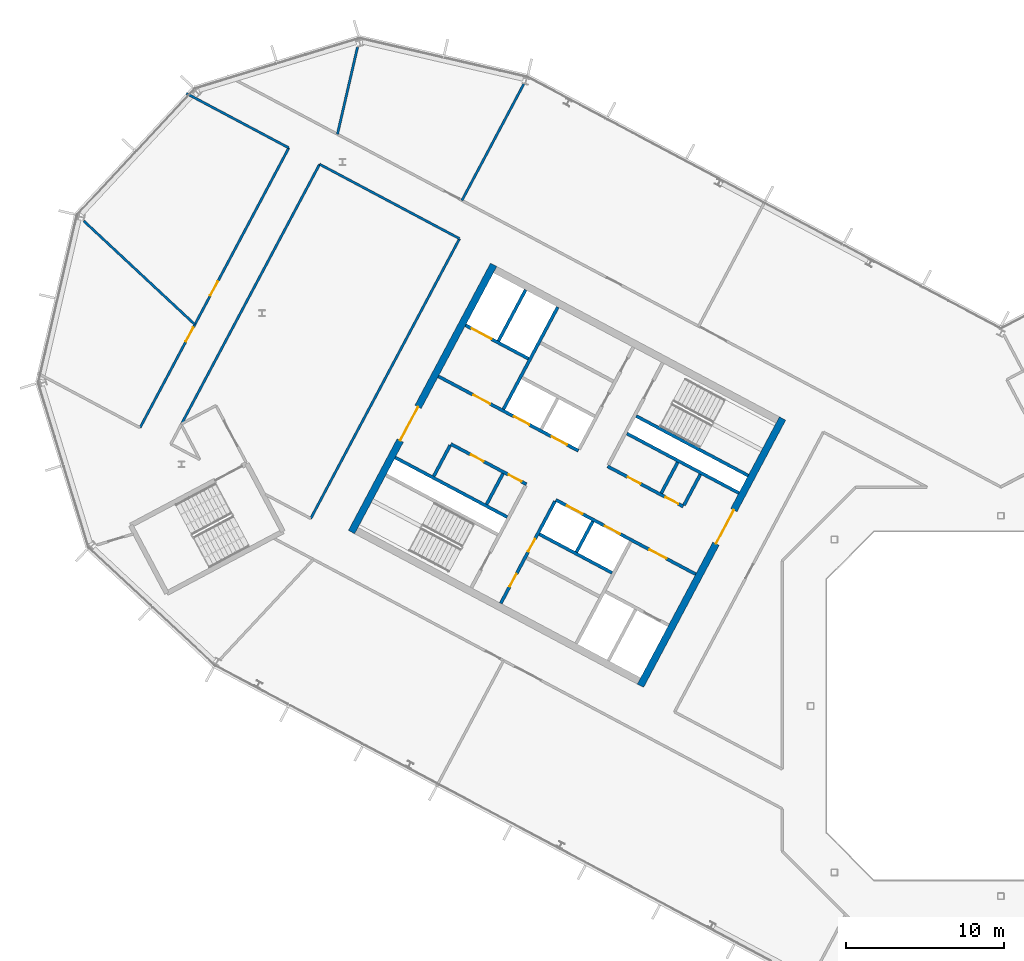
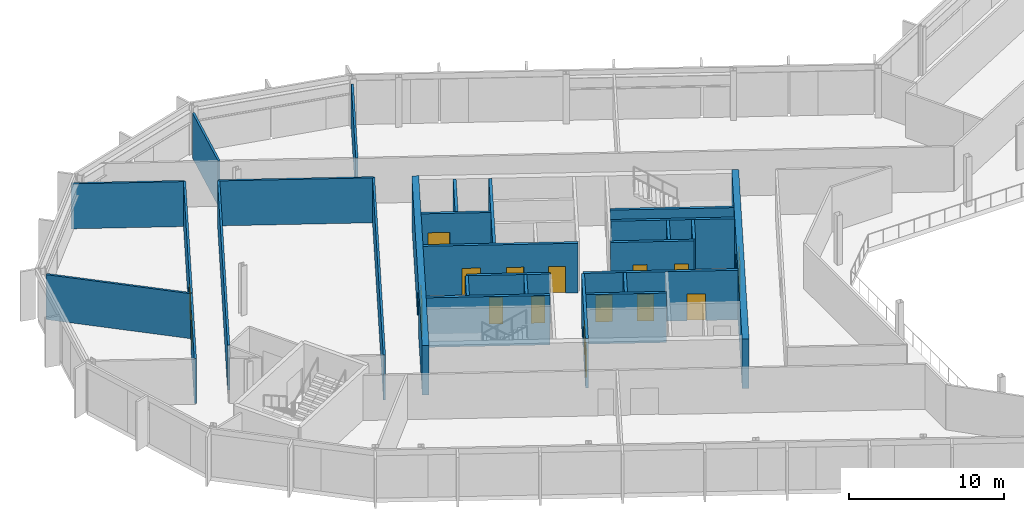
# One storey, part 13 of 25: 27 walls, 17 doors, 17 openings.
"""IFC4 building model written with IfcOpenShell, lengths in metres."""

from ifc_helpers import new_model, si_unit, direction, frame, frame_2d, origin, place, context, subcontext, project, spatial, rectangle, extrude, material, layer, layer_set, type_object, element, fill, save


model = new_model("IFC4")

# Units and contexts
model_context = context("Model", 3, precision=1e-05, world=origin(), true_north=direction((0.0, 1.0)))
body_context = subcontext(model_context, "Body", "Model", "MODEL_VIEW")
ifc_project = project(units=[si_unit("LENGTHUNIT", "METRE"), si_unit("AREAUNIT", "SQUARE_METRE"), si_unit("VOLUMEUNIT", "CUBIC_METRE"), si_unit("PLANEANGLEUNIT", "RADIAN"), si_unit("MASSUNIT", "GRAM", prefix="KILO")], contexts=[model_context])

# Site, building, storey
site_placement = place(None, origin())
site = spatial("IfcSite", under=ifc_project, at=site_placement, CompositionType="ELEMENT")
building_placement = place(site_placement, origin())
building = spatial("IfcBuilding", under=site, at=building_placement, Name="Cormorant Relay Tower", CompositionType="ELEMENT")
storey_placement = place(building_placement, frame((0.0, 0.0, 281.39990234375)))
storey = spatial("IfcBuildingStorey", under=building, at=storey_placement, Name="L63", CompositionType="ELEMENT", Elevation=281.39990234375)

# Walls
ifc_material_1 = material(Name="Concrete 40 MPa", Category="concrete")
ifc_layer_1 = layer(ifc_material_1, 0.199951171875)
ifc_layer_set_1 = layer_set([ifc_layer_1], Name="Core internal wall 200")
wall_type_1 = type_object("IfcWallType", Name="Core internal wall 200", PredefinedType="SOLIDWALL", material=ifc_layer_set_1)
wall_1_placement = place(storey_placement, frame((-20.39013671875, 15.371826171875, 0.0), z_axis=(0.0, 0.0, 1.0), x_axis=(-0.4694473164, -0.882960484464, 0.0)))
element("IfcWall", 1, at=wall_1_placement, inside=storey, type_object=wall_type_1, Name="L63 core A shaft and room wall", PredefinedType="SOLIDWALL", context=body_context, shape_type="SweptSolid", body=[
    extrude(rectangle(XDim=2.199951171875, YDim=0.199951171875, at=frame_2d((1.10009765625, 0.0))), origin(), (0.0, 0.0, 1.0), 3.900146484375),
])
wall_2_placement = place(storey_placement, frame((-25.744140625, 11.64990234375, 0.0), z_axis=(0.0, 0.0, 1.0), x_axis=(-0.469487830541, -0.882938942948, 0.0)))
element("IfcWall", 2, at=wall_2_placement, inside=storey, type_object=wall_type_1, Name="L63 core A shaft and room wall", PredefinedType="SOLIDWALL", context=body_context, shape_type="SweptSolid", body=[
    extrude(rectangle(XDim=2.2001953125, YDim=0.199951171875, at=frame_2d((1.10009765625, 0.0))), origin(), (0.0, 0.0, 1.0), 3.900146484375),
])
wall_3_placement = place(storey_placement, frame((-31.41259765625, 14.663818359375, 0.0), z_axis=(0.0, 0.0, 1.0), x_axis=(-0.469533832133, -0.882914480843, 0.0)))
element("IfcWall", 3, at=wall_3_placement, inside=storey, type_object=wall_type_1, Name="L63 core A shaft and room wall", PredefinedType="SOLIDWALL", context=body_context, shape_type="SweptSolid", body=[
    extrude(rectangle(XDim=2.199951171875, YDim=0.199951171875, at=frame_2d((1.10009765625, 0.0))), origin(), (0.0, 0.0, 1.0), 3.900146484375),
])
ifc_material_2 = material(Name="Concrete 50 MPa", Category="concrete")
ifc_layer_2 = layer(ifc_material_2, 0.199951171875)
ifc_layer_set_2 = layer_set([ifc_layer_2], Name="Core shaft wall 200")
wall_type_2 = type_object("IfcWallType", Name="Core shaft wall 200", PredefinedType="SHEAR", material=ifc_layer_set_2)
wall_4_placement = place(storey_placement, frame((-18.959716796875, 14.611328125, 0.0), z_axis=(0.0, 0.0, 1.0), x_axis=(-0.4694473164, -0.882960484464, 0.0)))
element("IfcWall", 4, at=wall_4_placement, inside=storey, type_object=wall_type_2, Name="L63 core A shaft wall", PredefinedType="SHEAR", context=body_context, shape_type="SweptSolid", body=[
    extrude(rectangle(XDim=2.199951171875, YDim=0.199951171875, at=frame_2d((1.10009765625, 0.0))), origin(), (0.0, 0.0, 1.0), 3.900146484375),
])

# Wall, openings, doors
wall_5_placement = place(storey_placement, frame((-28.128173828125, 12.91748046875, 0.0), z_axis=(0.0, 0.0, 1.0), x_axis=(-0.469454336211, -0.882956752176, 0.0)))
wall_5 = element("IfcWall", 5, at=wall_5_placement, inside=storey, type_object=wall_type_2, Name="L63 core A shaft wall", PredefinedType="SHEAR", context=body_context, shape_type="SweptSolid", body=[
    extrude(rectangle(XDim=7.300048828125, YDim=0.199951171875, at=frame_2d((3.64990234375, 0.0))), origin(), (0.0, 0.0, 1.0), 3.900146484375),
])
opening_1_placement = place(wall_5_placement, frame((2.699951171875, 0.0, 0.0)))
opening_1 = element("IfcOpeningElement", 6, at=opening_1_placement, cuts=wall_5, Name="Opening CDD-324", PredefinedType="OPENING", context=body_context, shape_type="SweptSolid", body=[
    extrude(rectangle(XDim=0.89990234375, YDim=2.10009765625, at=frame_2d((0.449951171875, 1.050048828125))), frame((0.0, 0.10986328125, 0.0), z_axis=(0.0, -1.0, 0.0), x_axis=(1.0, 0.0, 0.0)), (0.0, 0.0, 1.0), 0.219970703125),
])
opening_2_placement = place(wall_5_placement, frame((5.199951171875, 0.0, 0.0)))
opening_2 = element("IfcOpeningElement", 7, at=opening_2_placement, cuts=wall_5, Name="Opening CDD-325", PredefinedType="OPENING", context=body_context, shape_type="SweptSolid", body=[
    extrude(rectangle(XDim=0.89990234375, YDim=2.10009765625, at=frame_2d((0.449951171875, 1.050048828125))), frame((0.0, 0.10986328125, 0.0), z_axis=(0.0, -1.0, 0.0), x_axis=(1.0, 0.0, 0.0)), (0.0, 0.0, 1.0), 0.219970703125),
])
ifc_material_3 = material(Name="Steel fire door", Category="steel")
door_type_1 = type_object("IfcDoorType", Name="Core room door 900x2100", OperationType="SINGLE_SWING_LEFT", PredefinedType="DOOR", material=ifc_material_3)
door_1_placement = place(opening_1_placement, origin())
door_1 = element("IfcDoor", 8, at=door_1_placement, inside=storey, type_object=door_type_1, Name="Core room door 900x2100", OperationType="SINGLE_SWING_LEFT", OverallHeight=2.10009765625, OverallWidth=0.89990234375, PredefinedType="DOOR", context=body_context, shape_type="SweptSolid", body=[
    extrude(rectangle(XDim=0.89990234375, YDim=2.10009765625, at=frame_2d((0.449951171875, 1.050048828125))), frame((0.0, 0.02490234375, 0.0), z_axis=(0.0, -1.0, 0.0), x_axis=(1.0, 0.0, 0.0)), (0.0, 0.0, 1.0), 0.050048828125),
])
fill(opening_1, door_1)
door_2_placement = place(opening_2_placement, origin())
door_2 = element("IfcDoor", 9, at=door_2_placement, inside=storey, type_object=door_type_1, Name="Core room door 900x2100", OperationType="SINGLE_SWING_LEFT", OverallHeight=2.10009765625, OverallWidth=0.89990234375, PredefinedType="DOOR", context=body_context, shape_type="SweptSolid", body=[
    extrude(rectangle(XDim=0.89990234375, YDim=2.10009765625, at=frame_2d((0.449951171875, 1.050048828125))), frame((0.0, 0.02490234375, 0.0), z_axis=(0.0, -1.0, 0.0), x_axis=(1.0, 0.0, 0.0)), (0.0, 0.0, 1.0), 0.050048828125),
])
fill(opening_2, door_2)

# Walls
wall_6_placement = place(storey_placement, frame((-27.955322265625, 25.170654296875, 0.0), z_axis=(0.0, 0.0, 1.0), x_axis=(-0.469480409012, -0.88294288918, 0.0)))
element("IfcWall", 10, at=wall_6_placement, inside=storey, type_object=wall_type_2, Name="L63 core A shaft wall", PredefinedType="SHEAR", context=body_context, shape_type="SweptSolid", body=[
    extrude(rectangle(XDim=7.300048828125, YDim=0.199951171875, at=frame_2d((3.64990234375, 0.0))), origin(), (0.0, 0.0, 1.0), 3.900146484375),
])
wall_7_placement = place(storey_placement, frame((-34.750244140625, 16.4384765625, 0.0), z_axis=(0.0, 0.0, 1.0), x_axis=(-0.469401318492, -0.882984938828, 0.0)))
element("IfcWall", 11, at=wall_7_placement, inside=storey, type_object=wall_type_2, Name="L63 core A shaft wall", PredefinedType="SHEAR", context=body_context, shape_type="SweptSolid", body=[
    extrude(rectangle(XDim=2.199951171875, YDim=0.199951171875, at=frame_2d((1.10009765625, 0.0))), origin(), (0.0, 0.0, 1.0), 3.900146484375),
])
wall_8_placement = place(storey_placement, frame((-29.986083984375, 26.250244140625, 0.0), z_axis=(0.0, 0.0, 1.0), x_axis=(-0.469494272526, -0.882935517501, 0.0)))
element("IfcWall", 12, at=wall_8_placement, inside=storey, type_object=wall_type_2, Name="L63 core A shaft wall", PredefinedType="SHEAR", context=body_context, shape_type="SweptSolid", body=[
    extrude(rectangle(XDim=3.64990234375, YDim=0.199951171875, at=frame_2d((1.824951171875, 0.0))), origin(), (0.0, 0.0, 1.0), 3.900146484375),
])
wall_9_placement = place(storey_placement, frame((-15.94189453125, 14.53564453125, 0.0), z_axis=(0.0, 0.0, 1.0), x_axis=(-0.882946947542, 0.469472776449, 0.0)))
element("IfcWall", 13, at=wall_9_placement, inside=storey, type_object=wall_type_2, Name="L63 core A shaft wall", PredefinedType="SHEAR", context=body_context, shape_type="SweptSolid", body=[
    extrude(rectangle(XDim=8.000244140625, YDim=0.199951171875, at=frame_2d((4.0, 0.0))), origin(), (0.0, 0.0, 1.0), 3.900146484375),
])

# Wall, opening, door
wall_10_placement = place(storey_placement, frame((-29.80419921875, 21.906494140625, 0.0), z_axis=(0.0, 0.0, 1.0), x_axis=(-0.882960433586, 0.469447412093, 0.0)))
wall_10 = element("IfcWall", 14, at=wall_10_placement, inside=storey, type_object=wall_type_2, Name="L63 core A shaft wall", PredefinedType="SHEAR", context=body_context, shape_type="SweptSolid", body=[
    extrude(rectangle(XDim=4.5, YDim=0.199951171875, at=frame_2d((2.25, 0.0))), origin(), (0.0, 0.0, 1.0), 3.900146484375),
])
opening_3_placement = place(wall_10_placement, frame((2.64990234375, 0.0, 0.0)))
opening_3 = element("IfcOpeningElement", 15, at=opening_3_placement, cuts=wall_10, Name="Opening LD3-015", PredefinedType="OPENING", context=body_context, shape_type="SweptSolid", body=[
    extrude(rectangle(XDim=1.39990234375, YDim=2.39990234375, at=frame_2d((0.699951171875, 1.199951171875))), frame((0.0, 0.10986328125, 0.0), z_axis=(0.0, -1.0, 0.0), x_axis=(1.0, 0.0, 0.0)), (0.0, 0.0, 1.0), 0.219970703125),
])
ifc_material_4 = material(Name="Stainless steel 316", Category="steel")
door_type_2 = type_object("IfcDoorType", Name="Lift landing door 1400x2400", OperationType="DOUBLE_DOOR_SLIDING", PredefinedType="DOOR", material=ifc_material_4)
door_3_placement = place(opening_3_placement, origin())
door_3 = element("IfcDoor", 16, at=door_3_placement, inside=storey, type_object=door_type_2, Name="SV1 landing door", OperationType="DOUBLE_DOOR_SLIDING", OverallHeight=2.39990234375, OverallWidth=1.39990234375, PredefinedType="DOOR", context=body_context, shape_type="SweptSolid", body=[
    extrude(rectangle(XDim=1.39990234375, YDim=2.39990234375, at=frame_2d((0.699951171875, 1.199951171875))), frame((0.0, 0.02490234375, 0.0), z_axis=(0.0, -1.0, 0.0), x_axis=(1.0, 0.0, 0.0)), (0.0, 0.0, 1.0), 0.050048828125),
])
fill(opening_3, door_3)

# Wall
wall_11_placement = place(storey_placement, frame((-16.52880859375, 13.43212890625, 0.0), z_axis=(0.0, 0.0, 1.0), x_axis=(-0.88295287151, 0.469461634952, 0.0)))
element("IfcWall", 17, at=wall_11_placement, inside=storey, type_object=wall_type_2, Name="L63 core A shaft wall", PredefinedType="SHEAR", context=body_context, shape_type="SweptSolid", body=[
    extrude(rectangle(XDim=7.999755859375, YDim=0.199951171875, at=frame_2d((4.0, 0.0))), origin(), (0.0, 0.0, 1.0), 3.900146484375),
])

# Wall, openings, doors
wall_12_placement = place(storey_placement, frame((-20.03955078125, 12.58056640625, 0.0), z_axis=(0.0, 0.0, 1.0), x_axis=(-0.882942972946, 0.469480251476, 0.0)))
wall_12 = element("IfcWall", 18, at=wall_12_placement, inside=storey, type_object=wall_type_2, Name="L63 core A shaft wall", PredefinedType="SHEAR", context=body_context, shape_type="SweptSolid", body=[
    extrude(rectangle(XDim=5.39990234375, YDim=0.199951171875, at=frame_2d((2.699951171875, 0.0))), origin(), (0.0, 0.0, 1.0), 3.900146484375),
])
opening_4_placement = place(wall_12_placement, frame((0.360107421875, 0.0, 0.0)))
opening_4 = element("IfcOpeningElement", 19, at=opening_4_placement, cuts=wall_12, Name="Opening CDD-322", PredefinedType="OPENING", context=body_context, shape_type="SweptSolid", body=[
    extrude(rectangle(XDim=0.89990234375, YDim=2.10009765625, at=frame_2d((0.449951171875, 1.050048828125))), frame((0.0, 0.10986328125, 0.0), z_axis=(0.0, -1.0, 0.0), x_axis=(1.0, 0.0, 0.0)), (0.0, 0.0, 1.0), 0.219970703125),
])
opening_5_placement = place(wall_12_placement, frame((3.06005859375, 0.0, 0.0)))
opening_5 = element("IfcOpeningElement", 20, at=opening_5_placement, cuts=wall_12, Name="Opening CDD-323", PredefinedType="OPENING", context=body_context, shape_type="SweptSolid", body=[
    extrude(rectangle(XDim=0.89990234375, YDim=2.10009765625, at=frame_2d((0.449951171875, 1.050048828125))), frame((0.0, 0.10986328125, 0.0), z_axis=(0.0, -1.0, 0.0), x_axis=(1.0, 0.0, 0.0)), (0.0, 0.0, 1.0), 0.219970703125),
])
door_4_placement = place(opening_4_placement, origin())
door_4 = element("IfcDoor", 21, at=door_4_placement, inside=storey, type_object=door_type_1, Name="Core room door 900x2100", OperationType="SINGLE_SWING_LEFT", OverallHeight=2.10009765625, OverallWidth=0.89990234375, PredefinedType="DOOR", context=body_context, shape_type="SweptSolid", body=[
    extrude(rectangle(XDim=0.89990234375, YDim=2.10009765625, at=frame_2d((0.449951171875, 1.050048828125))), frame((0.0, 0.02490234375, 0.0), z_axis=(0.0, -1.0, 0.0), x_axis=(1.0, 0.0, 0.0)), (0.0, 0.0, 1.0), 0.050048828125),
])
fill(opening_4, door_4)
door_5_placement = place(opening_5_placement, origin())
door_5 = element("IfcDoor", 22, at=door_5_placement, inside=storey, type_object=door_type_1, Name="Core room door 900x2100", OperationType="SINGLE_SWING_LEFT", OverallHeight=2.10009765625, OverallWidth=0.89990234375, PredefinedType="DOOR", context=body_context, shape_type="SweptSolid", body=[
    extrude(rectangle(XDim=0.89990234375, YDim=2.10009765625, at=frame_2d((0.449951171875, 1.050048828125))), frame((0.0, 0.02490234375, 0.0), z_axis=(0.0, -1.0, 0.0), x_axis=(1.0, 0.0, 0.0)), (0.0, 0.0, 1.0), 0.050048828125),
])
fill(opening_5, door_5)

wall_13_placement = place(storey_placement, frame((-26.66162109375, 16.1015625, 0.0), z_axis=(0.0, 0.0, 1.0), x_axis=(-0.882940221191, 0.469485426614, 0.0)))
wall_13 = element("IfcWall", 23, at=wall_13_placement, inside=storey, type_object=wall_type_2, Name="L63 core A shaft wall", PredefinedType="SHEAR", context=body_context, shape_type="SweptSolid", body=[
    extrude(rectangle(XDim=10.0, YDim=0.199951171875, at=frame_2d((5.0, 0.0))), origin(), (0.0, 0.0, 1.0), 3.900146484375),
])
opening_6_placement = place(wall_13_placement, frame((6.300048828125, 0.0, 0.0)))
opening_6 = element("IfcOpeningElement", 24, at=opening_6_placement, cuts=wall_13, Name="Opening CDC-034", PredefinedType="OPENING", context=body_context, shape_type="SweptSolid", body=[
    extrude(rectangle(XDim=1.199951171875, YDim=2.10009765625, at=frame_2d((0.60009765625, 1.050048828125))), frame((0.0, 0.10986328125, 0.0), z_axis=(0.0, -1.0, 0.0), x_axis=(1.0, 0.0, 0.0)), (0.0, 0.0, 1.0), 0.219970703125),
])
opening_7_placement = place(wall_13_placement, frame((0.800048828125, 0.0, 0.0)))
opening_7 = element("IfcOpeningElement", 25, at=opening_7_placement, cuts=wall_13, Name="Opening LD1-067", PredefinedType="OPENING", context=body_context, shape_type="SweptSolid", body=[
    extrude(rectangle(XDim=1.10009765625, YDim=2.10009765625, at=frame_2d((0.550048828125, 1.050048828125))), frame((0.0, 0.10986328125, 0.0), z_axis=(0.0, -1.0, 0.0), x_axis=(1.0, 0.0, 0.0)), (0.0, 0.0, 1.0), 0.219970703125),
])
opening_8_placement = place(wall_13_placement, frame((3.5, 0.0, 0.0)))
opening_8 = element("IfcOpeningElement", 26, at=opening_8_placement, cuts=wall_13, Name="Opening LD1-068", PredefinedType="OPENING", context=body_context, shape_type="SweptSolid", body=[
    extrude(rectangle(XDim=1.10009765625, YDim=2.10009765625, at=frame_2d((0.550048828125, 1.050048828125))), frame((0.0, 0.10986328125, 0.0), z_axis=(0.0, -1.0, 0.0), x_axis=(1.0, 0.0, 0.0)), (0.0, 0.0, 1.0), 0.219970703125),
])
ifc_material_5 = material(Name="Steel fire door", Category="steel")
door_type_3 = type_object("IfcDoorType", Name="Core lobby door 1200x2100", OperationType="SINGLE_SWING_LEFT", PredefinedType="DOOR", material=ifc_material_5)
door_6_placement = place(opening_6_placement, origin())
door_6 = element("IfcDoor", 27, at=door_6_placement, inside=storey, type_object=door_type_3, Name="Core lobby door 1200x2100", OperationType="SINGLE_SWING_LEFT", OverallHeight=2.10009765625, OverallWidth=1.199951171875, PredefinedType="DOOR", context=body_context, shape_type="SweptSolid", body=[
    extrude(rectangle(XDim=1.199951171875, YDim=2.10009765625, at=frame_2d((0.60009765625, 1.050048828125))), frame((0.0, 0.02490234375, 0.0), z_axis=(0.0, -1.0, 0.0), x_axis=(1.0, 0.0, 0.0)), (0.0, 0.0, 1.0), 0.050048828125),
])
fill(opening_6, door_6)
ifc_material_6 = material(Name="Stainless steel 316", Category="steel")
door_type_4 = type_object("IfcDoorType", Name="Lift landing door 1100x2100", OperationType="DOUBLE_DOOR_SLIDING", PredefinedType="DOOR", material=ifc_material_6)
door_7_placement = place(opening_7_placement, origin())
door_7 = element("IfcDoor", 28, at=door_7_placement, inside=storey, type_object=door_type_4, Name="HR3 landing door", OperationType="DOUBLE_DOOR_SLIDING", OverallHeight=2.10009765625, OverallWidth=1.10009765625, PredefinedType="DOOR", context=body_context, shape_type="SweptSolid", body=[
    extrude(rectangle(XDim=1.10009765625, YDim=2.10009765625, at=frame_2d((0.550048828125, 1.050048828125))), frame((0.0, 0.02490234375, 0.0), z_axis=(0.0, -1.0, 0.0), x_axis=(1.0, 0.0, 0.0)), (0.0, 0.0, 1.0), 0.050048828125),
])
fill(opening_7, door_7)
door_8_placement = place(opening_8_placement, origin())
door_8 = element("IfcDoor", 29, at=door_8_placement, inside=storey, type_object=door_type_4, Name="HR4 landing door", OperationType="DOUBLE_DOOR_SLIDING", OverallHeight=2.10009765625, OverallWidth=1.10009765625, PredefinedType="DOOR", context=body_context, shape_type="SweptSolid", body=[
    extrude(rectangle(XDim=1.10009765625, YDim=2.10009765625, at=frame_2d((0.550048828125, 1.050048828125))), frame((0.0, 0.02490234375, 0.0), z_axis=(0.0, -1.0, 0.0), x_axis=(1.0, 0.0, 0.0)), (0.0, 0.0, 1.0), 0.050048828125),
])
fill(opening_8, door_8)

wall_14_placement = place(storey_placement, frame((-19.251708984375, 8.31103515625, 0.0), z_axis=(0.0, 0.0, 1.0), x_axis=(-0.882955722218, 0.469456273365, 0.0)))
wall_14 = element("IfcWall", 30, at=wall_14_placement, inside=storey, type_object=wall_type_2, Name="L63 core A shaft wall", PredefinedType="SHEAR", context=body_context, shape_type="SweptSolid", body=[
    extrude(rectangle(XDim=10.0, YDim=0.199951171875, at=frame_2d((5.0, 0.0))), origin(), (0.0, 0.0, 1.0), 3.900146484375),
])
opening_9_placement = place(wall_14_placement, frame((2.10009765625, 0.0, 0.0)))
opening_9 = element("IfcOpeningElement", 31, at=opening_9_placement, cuts=wall_14, Name="Opening CDC-033", PredefinedType="OPENING", context=body_context, shape_type="SweptSolid", body=[
    extrude(rectangle(XDim=1.199951171875, YDim=2.10009765625, at=frame_2d((0.60009765625, 1.050048828125))), frame((0.0, 0.10986328125, 0.0), z_axis=(0.0, -1.0, 0.0), x_axis=(1.0, 0.0, 0.0)), (0.0, 0.0, 1.0), 0.219970703125),
])
opening_10_placement = place(wall_14_placement, frame((5.39990234375, 0.0, 0.0)))
opening_10 = element("IfcOpeningElement", 32, at=opening_10_placement, cuts=wall_14, Name="Opening LD1-065", PredefinedType="OPENING", context=body_context, shape_type="SweptSolid", body=[
    extrude(rectangle(XDim=1.10009765625, YDim=2.10009765625, at=frame_2d((0.550048828125, 1.050048828125))), frame((0.0, 0.10986328125, 0.0), z_axis=(0.0, -1.0, 0.0), x_axis=(1.0, 0.0, 0.0)), (0.0, 0.0, 1.0), 0.219970703125),
])
opening_11_placement = place(wall_14_placement, frame((8.10009765625, 0.0, 0.0)))
opening_11 = element("IfcOpeningElement", 33, at=opening_11_placement, cuts=wall_14, Name="Opening LD1-066", PredefinedType="OPENING", context=body_context, shape_type="SweptSolid", body=[
    extrude(rectangle(XDim=1.10009765625, YDim=2.10009765625, at=frame_2d((0.550048828125, 1.050048828125))), frame((0.0, 0.10986328125, 0.0), z_axis=(0.0, -1.0, 0.0), x_axis=(1.0, 0.0, 0.0)), (0.0, 0.0, 1.0), 0.219970703125),
])
door_9_placement = place(opening_9_placement, origin())
door_9 = element("IfcDoor", 34, at=door_9_placement, inside=storey, type_object=door_type_3, Name="Core lobby door 1200x2100", OperationType="SINGLE_SWING_RIGHT", OverallHeight=2.10009765625, OverallWidth=1.199951171875, PredefinedType="DOOR", context=body_context, shape_type="SweptSolid", body=[
    extrude(rectangle(XDim=1.199951171875, YDim=2.10009765625, at=frame_2d((0.60009765625, 1.050048828125))), frame((0.0, 0.02490234375, 0.0), z_axis=(0.0, -1.0, 0.0), x_axis=(1.0, 0.0, 0.0)), (0.0, 0.0, 1.0), 0.050048828125),
])
fill(opening_9, door_9)
door_10_placement = place(opening_10_placement, origin())
door_10 = element("IfcDoor", 35, at=door_10_placement, inside=storey, type_object=door_type_4, Name="HR1 landing door", OperationType="DOUBLE_DOOR_SLIDING", OverallHeight=2.10009765625, OverallWidth=1.10009765625, PredefinedType="DOOR", context=body_context, shape_type="SweptSolid", body=[
    extrude(rectangle(XDim=1.10009765625, YDim=2.10009765625, at=frame_2d((0.550048828125, 1.050048828125))), frame((0.0, 0.02490234375, 0.0), z_axis=(0.0, -1.0, 0.0), x_axis=(1.0, 0.0, 0.0)), (0.0, 0.0, 1.0), 0.050048828125),
])
fill(opening_10, door_10)
door_11_placement = place(opening_11_placement, origin())
door_11 = element("IfcDoor", 36, at=door_11_placement, inside=storey, type_object=door_type_4, Name="HR2 landing door", OperationType="DOUBLE_DOOR_SLIDING", OverallHeight=2.10009765625, OverallWidth=1.10009765625, PredefinedType="DOOR", context=body_context, shape_type="SweptSolid", body=[
    extrude(rectangle(XDim=1.10009765625, YDim=2.10009765625, at=frame_2d((0.550048828125, 1.050048828125))), frame((0.0, 0.02490234375, 0.0), z_axis=(0.0, -1.0, 0.0), x_axis=(1.0, 0.0, 0.0)), (0.0, 0.0, 1.0), 0.050048828125),
])
fill(opening_11, door_11)

wall_15_placement = place(storey_placement, frame((-29.935302734375, 13.991455078125, 0.0), z_axis=(0.0, 0.0, 1.0), x_axis=(-0.882952937579, 0.469461510692, 0.0)))
wall_15 = element("IfcWall", 37, at=wall_15_placement, inside=storey, type_object=wall_type_2, Name="L63 core A shaft wall", PredefinedType="SHEAR", context=body_context, shape_type="SweptSolid", body=[
    extrude(rectangle(XDim=5.400146484375, YDim=0.199951171875, at=frame_2d((2.7001953125, 0.0))), origin(), (0.0, 0.0, 1.0), 3.900146484375),
])
opening_12_placement = place(wall_15_placement, frame((0.360107421875, 0.0, 0.0)))
opening_12 = element("IfcOpeningElement", 38, at=opening_12_placement, cuts=wall_15, Name="Opening CDD-320", PredefinedType="OPENING", context=body_context, shape_type="SweptSolid", body=[
    extrude(rectangle(XDim=0.89990234375, YDim=2.10009765625, at=frame_2d((0.449951171875, 1.050048828125))), frame((0.0, 0.10986328125, 0.0), z_axis=(0.0, -1.0, 0.0), x_axis=(1.0, 0.0, 0.0)), (0.0, 0.0, 1.0), 0.219970703125),
])
opening_13_placement = place(wall_15_placement, frame((3.06005859375, 0.0, 0.0)))
opening_13 = element("IfcOpeningElement", 39, at=opening_13_placement, cuts=wall_15, Name="Opening CDD-321", PredefinedType="OPENING", context=body_context, shape_type="SweptSolid", body=[
    extrude(rectangle(XDim=0.89990234375, YDim=2.10009765625, at=frame_2d((0.449951171875, 1.050048828125))), frame((0.0, 0.10986328125, 0.0), z_axis=(0.0, -1.0, 0.0), x_axis=(1.0, 0.0, 0.0)), (0.0, 0.0, 1.0), 0.219970703125),
])
door_12_placement = place(opening_12_placement, origin())
door_12 = element("IfcDoor", 40, at=door_12_placement, inside=storey, type_object=door_type_1, Name="Core room door 900x2100", OperationType="SINGLE_SWING_LEFT", OverallHeight=2.10009765625, OverallWidth=0.89990234375, PredefinedType="DOOR", context=body_context, shape_type="SweptSolid", body=[
    extrude(rectangle(XDim=0.89990234375, YDim=2.10009765625, at=frame_2d((0.449951171875, 1.050048828125))), frame((0.0, 0.02490234375, 0.0), z_axis=(0.0, -1.0, 0.0), x_axis=(1.0, 0.0, 0.0)), (0.0, 0.0, 1.0), 0.050048828125),
])
fill(opening_12, door_12)
door_13_placement = place(opening_13_placement, origin())
door_13 = element("IfcDoor", 41, at=door_13_placement, inside=storey, type_object=door_type_1, Name="Core room door 900x2100", OperationType="SINGLE_SWING_LEFT", OverallHeight=2.10009765625, OverallWidth=0.89990234375, PredefinedType="DOOR", context=body_context, shape_type="SweptSolid", body=[
    extrude(rectangle(XDim=0.89990234375, YDim=2.10009765625, at=frame_2d((0.449951171875, 1.050048828125))), frame((0.0, 0.02490234375, 0.0), z_axis=(0.0, -1.0, 0.0), x_axis=(1.0, 0.0, 0.0)), (0.0, 0.0, 1.0), 0.050048828125),
])
fill(opening_13, door_13)

# Walls
wall_16_placement = place(storey_placement, frame((-24.5283203125, 8.3984375, 0.0), z_axis=(0.0, 0.0, 1.0), x_axis=(-0.882953967957, 0.469459572775, 0.0)))
element("IfcWall", 42, at=wall_16_placement, inside=storey, type_object=wall_type_2, Name="L63 core A shaft wall", PredefinedType="SHEAR", context=body_context, shape_type="SweptSolid", body=[
    extrude(rectangle(XDim=5.199951171875, YDim=0.199951171875, at=frame_2d((2.60009765625, 0.0))), origin(), (0.0, 0.0, 1.0), 3.900146484375),
])
wall_17_placement = place(storey_placement, frame((-31.150390625, 11.91943359375, 0.0), z_axis=(0.0, 0.0, 1.0), x_axis=(-0.882940221191, 0.469485426614, 0.0)))
element("IfcWall", 43, at=wall_17_placement, inside=storey, type_object=wall_type_2, Name="L63 core A shaft wall", PredefinedType="SHEAR", context=body_context, shape_type="SweptSolid", body=[
    extrude(rectangle(XDim=8.0, YDim=0.199951171875, at=frame_2d((4.0, 0.0))), origin(), (0.0, 0.0, 1.0), 3.900146484375),
])

# Wall, opening, door
ifc_material_7 = material(Name="Concrete 50 MPa", Category="concrete")
ifc_layer_3 = layer(ifc_material_7, 0.449951171875)
ifc_layer_set_3 = layer_set([ifc_layer_3], Name="Core wall 450")
wall_type_3 = type_object("IfcWallType", Name="Core wall 450", PredefinedType="SHEAR", material=ifc_layer_set_3)
wall_18_placement = place(storey_placement, frame((-13.771484375, 18.138427734375, 0.0), z_axis=(0.0, 0.0, 1.0), x_axis=(-0.469467968382, -0.882949504028, 0.0)))
wall_18 = element("IfcWall", 44, at=wall_18_placement, inside=storey, type_object=wall_type_3, Name="L63 core A wall", PredefinedType="SHEAR", context=body_context, shape_type="SweptSolid", body=[
    extrude(rectangle(XDim=19.099853515625, YDim=0.449951171875, at=frame_2d((9.5498046875, 0.0))), origin(), (0.0, 0.0, 1.0), 3.900146484375),
])
opening_14_placement = place(wall_18_placement, frame((6.550048828125, 0.0, 0.0)))
opening_14 = element("IfcOpeningElement", 45, at=opening_14_placement, cuts=wall_18, Name="Opening CDA-050", PredefinedType="OPENING", context=body_context, shape_type="SweptSolid", body=[
    extrude(rectangle(XDim=2.39990234375, YDim=2.39990234375, at=frame_2d((1.199951171875, 1.199951171875))), frame((0.0, 0.23486328125, 0.0), z_axis=(0.0, -1.0, 0.0), x_axis=(1.0, 0.0, 0.0)), (0.0, 0.0, 1.0), 0.469970703125),
])
ifc_material_8 = material(Name="Steel fire door", Category="steel")
door_type_5 = type_object("IfcDoorType", Name="Core lobby door 2400x2400", OperationType="DOUBLE_DOOR_SINGLE_SWING", PredefinedType="DOOR", material=ifc_material_8)
door_14_placement = place(opening_14_placement, origin())
door_14 = element("IfcDoor", 46, at=door_14_placement, inside=storey, type_object=door_type_5, Name="Core lobby door 2400x2400", OperationType="DOUBLE_DOOR_SINGLE_SWING", OverallHeight=2.39990234375, OverallWidth=2.39990234375, PredefinedType="DOOR", context=body_context, shape_type="SweptSolid", body=[
    extrude(rectangle(XDim=2.39990234375, YDim=2.39990234375, at=frame_2d((1.199951171875, 1.199951171875))), frame((0.0, 0.02490234375, 0.0), z_axis=(0.0, -1.0, 0.0), x_axis=(1.0, 0.0, 0.0)), (0.0, 0.0, 1.0), 0.050048828125),
])
fill(opening_14, door_14)

wall_19_placement = place(storey_placement, frame((-32.00439453125, 27.8330078125, 0.0), z_axis=(0.0, 0.0, 1.0), x_axis=(-0.469467968382, -0.882949504028, 0.0)))
wall_19 = element("IfcWall", 47, at=wall_19_placement, inside=storey, type_object=wall_type_3, Name="L63 core A wall", PredefinedType="SHEAR", context=body_context, shape_type="SweptSolid", body=[
    extrude(rectangle(XDim=19.099853515625, YDim=0.449951171875, at=frame_2d((9.5498046875, 0.0))), origin(), (0.0, 0.0, 1.0), 3.900146484375),
])
opening_15_placement = place(wall_19_placement, frame((10.14990234375, 0.0, 0.0)))
opening_15 = element("IfcOpeningElement", 48, at=opening_15_placement, cuts=wall_19, Name="Opening CDA-051", PredefinedType="OPENING", context=body_context, shape_type="SweptSolid", body=[
    extrude(rectangle(XDim=2.39990234375, YDim=2.39990234375, at=frame_2d((1.199951171875, 1.199951171875))), frame((0.0, 0.23486328125, 0.0), z_axis=(0.0, -1.0, 0.0), x_axis=(1.0, 0.0, 0.0)), (0.0, 0.0, 1.0), 0.469970703125),
])
door_15_placement = place(opening_15_placement, origin())
door_15 = element("IfcDoor", 49, at=door_15_placement, inside=storey, type_object=door_type_5, Name="Core lobby door 2400x2400", OperationType="DOUBLE_DOOR_SINGLE_SWING", OverallHeight=2.39990234375, OverallWidth=2.39990234375, PredefinedType="DOOR", context=body_context, shape_type="SweptSolid", body=[
    extrude(rectangle(XDim=2.39990234375, YDim=2.39990234375, at=frame_2d((1.199951171875, 1.199951171875))), frame((0.0, 0.02490234375, 0.0), z_axis=(0.0, -1.0, 0.0), x_axis=(1.0, 0.0, 0.0)), (0.0, 0.0, 1.0), 0.050048828125),
])
fill(opening_15, door_15)

# Wall, openings, doors
ifc_material_9 = material(Name="Gypsum board fire partition")
ifc_layer_4 = layer(ifc_material_9, 0.14990234375)
ifc_layer_set_4 = layer_set([ifc_layer_4], Name="Corridor partition 150 EI 60")
wall_type_4 = type_object("IfcWallType", Name="Corridor partition 150 EI 60", PredefinedType="PARTITIONING", material=ifc_layer_set_4)
wall_20_placement = place(storey_placement, frame((-54.31591796875, 17.554931640625, 0.0), z_axis=(0.0, 0.0, 1.0), x_axis=(0.469446756585, 0.882960782103, 0.0)))
wall_20 = element("IfcWall", 50, at=wall_20_placement, inside=storey, type_object=wall_type_4, Name="wall/L63/part/001", PredefinedType="PARTITIONING", context=body_context, shape_type="SweptSolid", body=[
    extrude(rectangle(XDim=20.0, YDim=0.14990234375, at=frame_2d((10.0, 0.0))), origin(), (0.0, 0.0, 1.0), 3.5400390625),
])
opening_16_placement = place(wall_20_placement, frame((9.449951171875, 0.0, 0.0)))
opening_16 = element("IfcOpeningElement", 51, at=opening_16_placement, cuts=wall_20, Name="Opening DS-211", PredefinedType="OPENING", context=body_context, shape_type="SweptSolid", body=[
    extrude(rectangle(XDim=1.0, YDim=2.10009765625, at=frame_2d((0.5, 1.050048828125))), frame((0.0, 0.0849609375, 0.0), z_axis=(0.0, -1.0, 0.0), x_axis=(1.0, 0.0, 0.0)), (0.0, 0.0, 1.0), 0.169921875),
])
opening_17_placement = place(wall_20_placement, frame((6.14990234375, 0.0, 0.0)))
opening_17 = element("IfcOpeningElement", 52, at=opening_17_placement, cuts=wall_20, Name="Opening DS-212", PredefinedType="OPENING", context=body_context, shape_type="SweptSolid", body=[
    extrude(rectangle(XDim=1.0, YDim=2.10009765625, at=frame_2d((0.5, 1.050048828125))), frame((0.0, 0.0849609375, 0.0), z_axis=(0.0, -1.0, 0.0), x_axis=(1.0, 0.0, 0.0)), (0.0, 0.0, 1.0), 0.169921875),
])
ifc_material_10 = material(Name="Timber door leaf", Category="wood")
door_type_6 = type_object("IfcDoorType", Name="Suite door 1000x2100", OperationType="SINGLE_SWING_LEFT", PredefinedType="DOOR", material=ifc_material_10)
door_16_placement = place(opening_16_placement, origin())
door_16 = element("IfcDoor", 53, at=door_16_placement, inside=storey, type_object=door_type_6, Name="door/L63/001", OperationType="SINGLE_SWING_RIGHT", OverallHeight=2.10009765625, OverallWidth=1.0, PredefinedType="DOOR", context=body_context, shape_type="SweptSolid", body=[
    extrude(rectangle(XDim=1.0, YDim=2.10009765625, at=frame_2d((0.5, 1.050048828125))), frame((0.0, 0.02490234375, 0.0), z_axis=(0.0, -1.0, 0.0), x_axis=(1.0, 0.0, 0.0)), (0.0, 0.0, 1.0), 0.050048828125),
])
fill(opening_16, door_16)
door_17_placement = place(opening_17_placement, origin())
door_17 = element("IfcDoor", 54, at=door_17_placement, inside=storey, type_object=door_type_6, Name="door/L63/002", OperationType="SINGLE_SWING_RIGHT", OverallHeight=2.10009765625, OverallWidth=1.0, PredefinedType="DOOR", context=body_context, shape_type="SweptSolid", body=[
    extrude(rectangle(XDim=1.0, YDim=2.10009765625, at=frame_2d((0.5, 1.050048828125))), frame((0.0, 0.02490234375, 0.0), z_axis=(0.0, -1.0, 0.0), x_axis=(1.0, 0.0, 0.0)), (0.0, 0.0, 1.0), 0.050048828125),
])
fill(opening_17, door_17)

# Walls
wall_21_placement = place(storey_placement, frame((-44.927001953125, 35.214111328125, 0.0), z_axis=(0.0, 0.0, 1.0), x_axis=(-0.883014317612, 0.469346050258, 0.0)))
element("IfcWall", 55, at=wall_21_placement, inside=storey, type_object=wall_type_4, Name="wall/L63/part/002", PredefinedType="PARTITIONING", context=body_context, shape_type="SweptSolid", body=[
    extrude(rectangle(XDim=7.3271484375, YDim=0.14990234375, at=frame_2d((3.66357421875, 0.0))), origin(), (0.0, 0.0, 1.0), 3.5400390625),
])
wall_22_placement = place(storey_placement, frame((-51.695068359375, 17.798095703125, 0.0), z_axis=(0.0, 0.0, 1.0), x_axis=(0.469483567396, 0.88294120979, 0.0)))
element("IfcWall", 56, at=wall_22_placement, inside=storey, type_object=wall_type_4, Name="wall/L63/part/012", PredefinedType="PARTITIONING", context=body_context, shape_type="SweptSolid", body=[
    extrude(rectangle(XDim=18.554931640625, YDim=0.14990234375, at=frame_2d((9.27734375, 0.0))), origin(), (0.0, 0.0, 1.0), 3.5400390625),
])
wall_23_placement = place(storey_placement, frame((-42.98388671875, 34.180908203125, 0.0), z_axis=(0.0, 0.0, 1.0), x_axis=(0.882929457898, -0.469505668097, 0.0)))
element("IfcWall", 57, at=wall_23_placement, inside=storey, type_object=wall_type_4, Name="wall/L63/part/013", PredefinedType="PARTITIONING", context=body_context, shape_type="SweptSolid", body=[
    extrude(rectangle(XDim=9.99951171875, YDim=0.14990234375, at=frame_2d((4.999755859375, 0.0))), origin(), (0.0, 0.0, 1.0), 3.5400390625),
])
wall_24_placement = place(storey_placement, frame((-34.155029296875, 29.486083984375, 0.0), z_axis=(0.0, 0.0, 1.0), x_axis=(-0.469446756585, -0.882960782103, 0.0)))
element("IfcWall", 58, at=wall_24_placement, inside=storey, type_object=wall_type_4, Name="wall/L63/part/014", PredefinedType="PARTITIONING", context=body_context, shape_type="SweptSolid", body=[
    extrude(rectangle(XDim=20.0, YDim=0.14990234375, at=frame_2d((10.0, 0.0))), origin(), (0.0, 0.0, 1.0), 3.5400390625),
])
ifc_material_11 = material(Name="Gypsum board partition")
ifc_layer_5 = layer(ifc_material_11, 0.14990234375)
ifc_layer_set_5 = layer_set([ifc_layer_5], Name="Tenant partition 150")
wall_type_5 = type_object("IfcWallType", Name="Tenant partition 150", PredefinedType="PARTITIONING", material=ifc_layer_set_5)
wall_25_placement = place(storey_placement, frame((-57.8720703125, 30.60791015625, 0.0), z_axis=(0.0, 0.0, 1.0), x_axis=(0.731481609164, -0.681861170221, 0.0)))
element("IfcWall", 59, at=wall_25_placement, inside=storey, type_object=wall_type_5, Name="wall/L63/part/003", PredefinedType="PARTITIONING", context=body_context, shape_type="SweptSolid", body=[
    extrude(rectangle(XDim=9.59423828125, YDim=0.14990234375, at=frame_2d((4.797119140625, 0.0))), origin(), (0.0, 0.0, 1.0), 3.5400390625),
])
wall_26_placement = place(storey_placement, frame((-30.097900390625, 39.2470703125, 0.0), z_axis=(0.0, 0.0, 1.0), x_axis=(-0.469413996391, -0.882978199047, 0.0)))
element("IfcWall", 60, at=wall_26_placement, inside=storey, type_object=wall_type_5, Name="wall/L63/part/017", PredefinedType="PARTITIONING", context=body_context, shape_type="SweptSolid", body=[
    extrude(rectangle(XDim=8.322998046875, YDim=0.14990234375, at=frame_2d((4.16162109375, 0.0))), origin(), (0.0, 0.0, 1.0), 3.5400390625),
])
wall_27_placement = place(storey_placement, frame((-41.860107421875, 36.074951171875, 0.0), z_axis=(0.0, 0.0, 1.0), x_axis=(0.22499217369, 0.974360570722, 0.0)))
element("IfcWall", 61, at=wall_27_placement, inside=storey, type_object=wall_type_5, Name="wall/L63/part/018", PredefinedType="PARTITIONING", context=body_context, shape_type="SweptSolid", body=[
    extrude(rectangle(XDim=5.644775390625, YDim=0.14990234375, at=frame_2d((2.822265625, 0.0))), origin(), (0.0, 0.0, 1.0), 3.5400390625),
])

save(model, "model.ifc")
